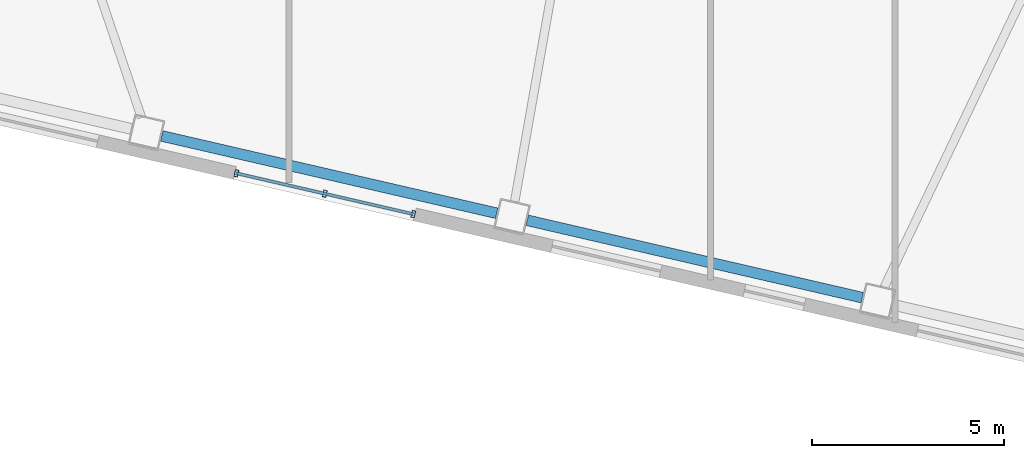
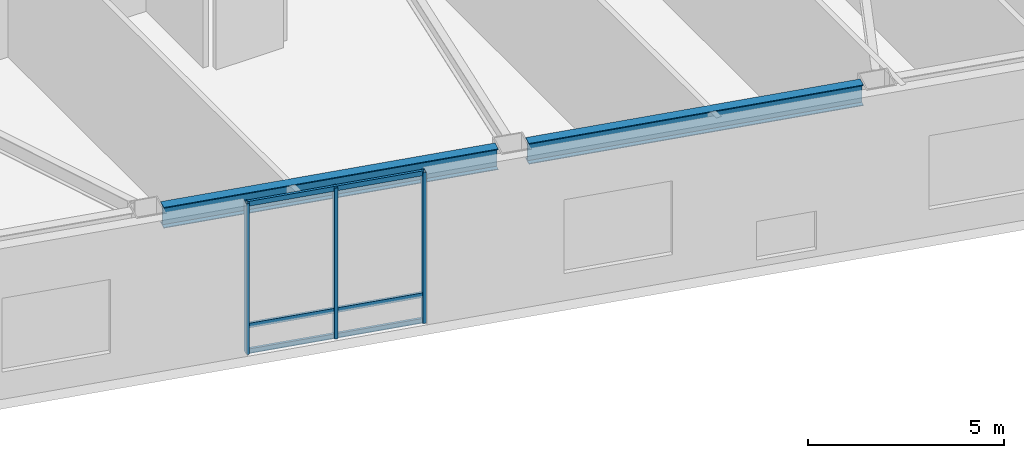
# One storey, part 4 of 20: 6 members, 2 beams, 1 element without a shape of its own.
"""IFC4 building model written with IfcOpenShell, lengths in metres."""

from ifc_helpers import new_model, si_unit, direction, frame, origin, origin_2d, place, context, subcontext, project, spatial, hollow_rectangle, i_section, extrude, material, layer, layer_set, material_profile, profile_set, type_object, element, aggregate, save


model = new_model("IFC4")

# Units and contexts
model_context = context("Model", 3, precision=1e-05, world=origin(), true_north=direction((0.0, 1.0)))
body_context = subcontext(model_context, "Body", "Model", "MODEL_VIEW")
ifc_project = project(units=[si_unit("LENGTHUNIT", "METRE"), si_unit("AREAUNIT", "SQUARE_METRE"), si_unit("VOLUMEUNIT", "CUBIC_METRE"), si_unit("PLANEANGLEUNIT", "RADIAN"), si_unit("MASSUNIT", "GRAM", prefix="KILO")], contexts=[model_context])

# Site, building, storey
site_placement = place(None, origin())
site = spatial("IfcSite", under=ifc_project, at=site_placement, CompositionType="ELEMENT")
building_placement = place(site_placement, origin())
building = spatial("IfcBuilding", under=site, at=building_placement, Name="Tavrogorsk Clinical Tower", CompositionType="ELEMENT")
storey_placement = place(building_placement, frame((0.0, 0.0, 13.39990234375)))
storey = spatial("IfcBuildingStorey", under=building, at=storey_placement, Name="L02", CompositionType="ELEMENT", Elevation=13.39990234375)

# Curtain wall, members
ifc_material_1 = material(Name="Anodised aluminium and triple IGU glazing", Category="aluminium")
ifc_layer = layer(ifc_material_1, 0.179931640625)
ifc_layer_set = layer_set([ifc_layer], Name="Anodised aluminium and triple IGU glazing")
curtain_wall_type = type_object("IfcCurtainWallType", Name="CW3_SouthSlot", PredefinedType="NOTDEFINED", material=ifc_layer_set)
curtain_wall_placement = place(storey_placement, origin())
curtain_wall = element("IfcCurtainWall", 1, at=curtain_wall_placement, inside=storey, type_object=curtain_wall_type, Name="L02 Curtain Wall CW-L02-S-SLOT-2", PredefinedType="NOTDEFINED")
ifc_material_2 = material(Name="Anodised aluminium alloy AW-6060", Category="aluminium")
ifc_material_profile_1 = material_profile(ifc_material_2, hollow_rectangle(XDim=0.090087890625, YDim=0.179931640625, WallThickness=0.00634765625, at=origin_2d()), Name="RHS-180x90x6.3")
ifc_profile_set_1 = profile_set([ifc_material_profile_1], Name="Anodised aluminium alloy AW-6060")
member_type_1 = type_object("IfcMemberType", Name="CwMullion_180x90", PredefinedType="MULLION", material=ifc_profile_set_1)
member_1_placement = place(storey_placement, frame((-0.92041015625, -28.240478515625, 0.0), z_axis=(0.0, 0.0, 1.0), x_axis=(0.974370102963, -0.224950888978, 0.0)))
member_1 = element("IfcMember", 2, at=member_1_placement, type_object=member_type_1, Name="CW-L02-S-SLOT-2 Mullion 1", PredefinedType="MULLION", context=body_context, shape_type="SweptSolid", body=[
    extrude(hollow_rectangle(XDim=0.090087890625, YDim=0.179931640625, WallThickness=0.00634765625, at=origin_2d()), origin(), (0.0, 0.0, 1.0), 4.7001953125),
])
member_2_placement = place(storey_placement, frame((1.378173828125, -28.771240234375, 0.0), z_axis=(0.0, 0.0, 1.0), x_axis=(0.974370102963, -0.224950888978, 0.0)))
member_2 = element("IfcMember", 3, at=member_2_placement, type_object=member_type_1, Name="CW-L02-S-SLOT-2 Mullion 2", PredefinedType="MULLION", context=body_context, shape_type="SweptSolid", body=[
    extrude(hollow_rectangle(XDim=0.090087890625, YDim=0.179931640625, WallThickness=0.00634765625, at=origin_2d()), origin(), (0.0, 0.0, 1.0), 4.7001953125),
])
member_3_placement = place(storey_placement, frame((3.6767578125, -29.3017578125, 0.0), z_axis=(0.0, 0.0, 1.0), x_axis=(0.974370102963, -0.224950888978, 0.0)))
member_3 = element("IfcMember", 4, at=member_3_placement, type_object=member_type_1, Name="CW-L02-S-SLOT-2 Mullion 3", PredefinedType="MULLION", context=body_context, shape_type="SweptSolid", body=[
    extrude(hollow_rectangle(XDim=0.090087890625, YDim=0.179931640625, WallThickness=0.00634765625, at=origin_2d()), origin(), (0.0, 0.0, 1.0), 4.7001953125),
])
ifc_material_3 = material(Name="Anodised aluminium alloy AW-6060", Category="aluminium")
ifc_material_profile_2 = material_profile(ifc_material_3, hollow_rectangle(XDim=0.074951171875, YDim=0.14990234375, WallThickness=0.0048828125, at=origin_2d()), Name="RHS-150x75x5")
ifc_profile_set_2 = profile_set([ifc_material_profile_2], Name="Anodised aluminium alloy AW-6060")
member_type_2 = type_object("IfcMemberType", Name="CwTransom_150x75", PredefinedType="USERDEFINED", material=ifc_profile_set_2)
member_4_placement = place(storey_placement, frame((-0.92041015625, -28.240478515625, 0.050048828125), z_axis=(0.974372877948, -0.22493886885, 0.0), x_axis=(0.22493886885, 0.974372877948, 0.0)))
member_4 = element("IfcMember", 5, at=member_4_placement, type_object=member_type_2, Name="CW-L02-S-SLOT-2 Transom 1", ObjectType="TRANSOM", PredefinedType="USERDEFINED", context=body_context, shape_type="SweptSolid", body=[
    extrude(hollow_rectangle(XDim=0.074951171875, YDim=0.14990234375, WallThickness=0.0048828125, at=origin_2d()), origin(), (0.0, 0.0, 1.0), 4.718017578125),
])
member_5_placement = place(storey_placement, frame((-0.92041015625, -28.240478515625, 0.85009765625), z_axis=(0.974372877948, -0.22493886885, 0.0), x_axis=(0.22493886885, 0.974372877948, 0.0)))
member_5 = element("IfcMember", 6, at=member_5_placement, type_object=member_type_2, Name="CW-L02-S-SLOT-2 Transom 2", ObjectType="TRANSOM", PredefinedType="USERDEFINED", context=body_context, shape_type="SweptSolid", body=[
    extrude(hollow_rectangle(XDim=0.074951171875, YDim=0.14990234375, WallThickness=0.0048828125, at=origin_2d()), origin(), (0.0, 0.0, 1.0), 4.718017578125),
])
member_6_placement = place(storey_placement, frame((-0.92041015625, -28.240478515625, 4.650146484375), z_axis=(0.974372877948, -0.22493886885, 0.0), x_axis=(0.22493886885, 0.974372877948, 0.0)))
member_6 = element("IfcMember", 7, at=member_6_placement, type_object=member_type_2, Name="CW-L02-S-SLOT-2 Transom 3", ObjectType="TRANSOM", PredefinedType="USERDEFINED", context=body_context, shape_type="SweptSolid", body=[
    extrude(hollow_rectangle(XDim=0.074951171875, YDim=0.14990234375, WallThickness=0.0048828125, at=origin_2d()), origin(), (0.0, 0.0, 1.0), 4.718017578125),
])
aggregate(curtain_wall, [member_1, member_2, member_3, member_4, member_5, member_6])

# Beams
ifc_material_4 = material(Name="Structural steel S390", Category="steel")
ifc_material_profile_3 = material_profile(ifc_material_4, i_section(OverallWidth=0.280029296875, OverallDepth=0.64990234375, WebThickness=0.01611328125, FlangeThickness=0.02490234375, at=origin_2d()), Name="B-650x280x16x25")
ifc_profile_set_3 = profile_set([ifc_material_profile_3], Name="Structural steel S390")
beam_type = type_object("IfcBeamType", Name="SpandrelBeam_B650", PredefinedType="SPANDREL", material=ifc_profile_set_3)
for number, where, z_axis, x_axis, name in (
    (8, (-2.85888671875, -27.26953125, 4.375), (0.974372766602, -0.224939351168, 0.0), (0.224939351168, 0.974372766602, 0.0), "L02 Perimeter Spandrel S5-S6"),
    (9, (6.639892578125, -29.46240234375, 4.375), (0.974366775889, -0.224965299645, 0.0), (0.224965299645, 0.974366775889, 0.0), "L02 Perimeter Spandrel S6-S7"),
):
    element("IfcBeam", number, at=place(storey_placement, frame(where, z_axis=z_axis, x_axis=x_axis)), inside=storey, type_object=beam_type, Name=name, PredefinedType="SPANDREL", context=body_context, shape_type="SweptSolid", body=[
        extrude(i_section(OverallWidth=0.280029296875, OverallDepth=0.64990234375, WebThickness=0.01611328125, FlangeThickness=0.02490234375, at=origin_2d()), origin(), (0.0, 0.0, 1.0), 8.9326171875),
    ])

save(model, "model.ifc")
